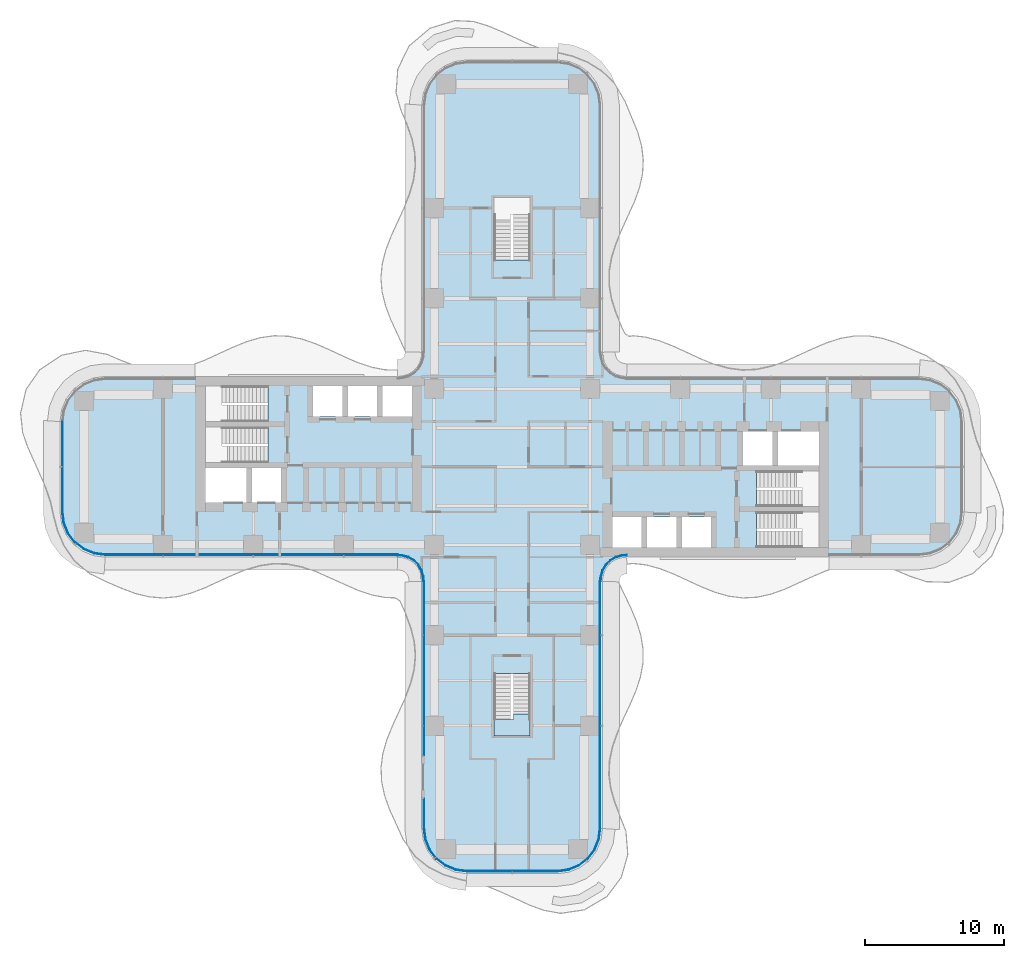
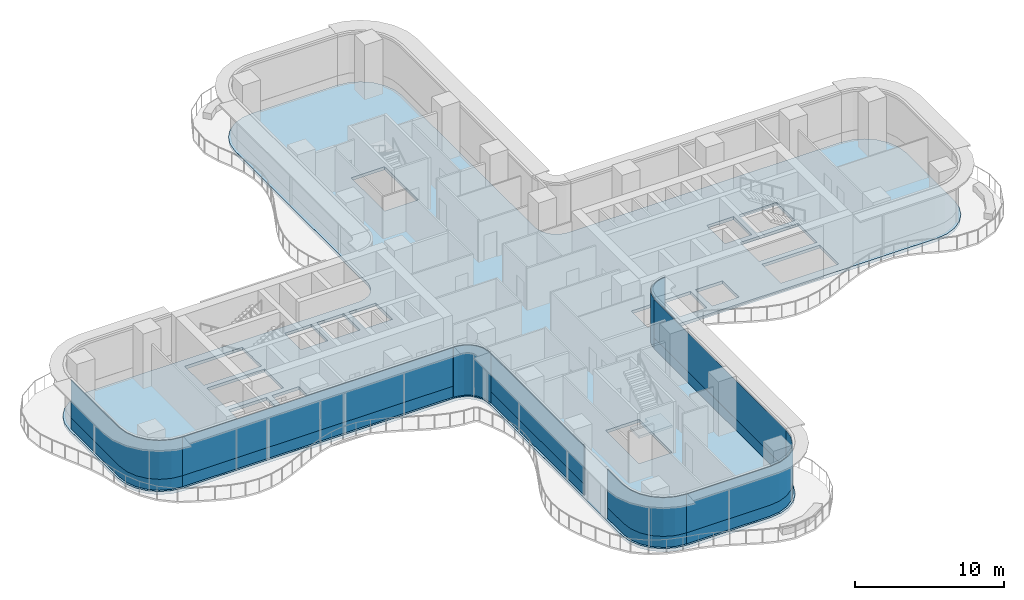
# One storey, part 14 of 22: 14 plates, 2 slabs, 9 elements without a shape of their own.
"""IFC4 building model written with IfcOpenShell, lengths in metres."""

import ifcopenshell
import ifcopenshell.guid

model = None  # the IFC model being written
_history = None  # IfcOwnerHistory: only IFC2X3 demands one
_inside = {}  # id of a spatial element -> (the spatial element, [elements in it])
_under = {}  # id of a project, library or spatial element -> (it, [spatial elements below it])
_declared = {}  # id of a project -> (the project, [libraries it declares])
_typed = {}  # id of a type object -> (the type object, [elements of that type])
_made_of = {}  # id of a material, layer set ... -> (it, [elements and type objects made of it])


def new_model(schema):
    """Start an empty IFC model of exactly this schema.

    Asked for "IFC4X3", IfcOpenShell would pick the latest addendum, in which some entities
    have other attributes; the version numbers below select the first issue.
    IFC2X3 requires an IfcOwnerHistory on every rooted entity: one is made here for all.
    """
    global model, _history
    if schema == "IFC4X3":
        model = ifcopenshell.file(schema_version=(4, 3, 0, 0))
    else:
        model = ifcopenshell.file(schema=schema)
    _inside.clear()
    _under.clear()
    _declared.clear()
    _typed.clear()
    _made_of.clear()
    _history = None
    if model.schema == "IFC2X3":
        org = make("IfcOrganization", Name="unknown")
        user = make(
            "IfcPersonAndOrganization",
            ThePerson=make("IfcPerson", FamilyName="unknown"),
            TheOrganization=org,
        )
        app = make(
            "IfcApplication",
            ApplicationDeveloper=org,
            Version="unknown",
            ApplicationFullName="unknown",
            ApplicationIdentifier="unknown",
        )
        _history = make(
            "IfcOwnerHistory",
            OwningUser=user,
            OwningApplication=app,
            ChangeAction="ADDED",
            CreationDate=0,
        )
    return model


def make(cls, **values):
    """One entity of the class cls with the attributes given. An attribute that is None is left unset."""
    return model.create_entity(
        cls, **{name: value for name, value in values.items() if value is not None}
    )


def rooted(cls, **values):
    """An entity with a GlobalId (a new one), such as an element, a storey or a relation."""
    return make(cls, GlobalId=ifcopenshell.guid.new(), OwnerHistory=_history, **values)


def si_unit(unit_type, name, prefix=None):
    """IfcSIUnit, for example si_unit("LENGTHUNIT", "METRE", prefix="MILLI")."""
    return make("IfcSIUnit", UnitType=unit_type, Prefix=prefix, Name=name)


def assignment(units):
    """IfcUnitAssignment: the units of a project."""
    return None if units is None else make("IfcUnitAssignment", Units=units)


def point(xyz):
    """IfcCartesianPoint."""
    return None if xyz is None else make("IfcCartesianPoint", Coordinates=xyz)


def direction(xyz):
    """IfcDirection."""
    return None if xyz is None else make("IfcDirection", DirectionRatios=xyz)


def frame(location, z_axis=None, x_axis=None):
    """IfcAxis2Placement3D, a coordinate frame: its origin and axes. An axis left out is left unset."""
    return make(
        "IfcAxis2Placement3D",
        Location=point(location),
        Axis=direction(z_axis),
        RefDirection=direction(x_axis),
    )


def origin():
    """The frame at (0, 0, 0) with its axes left unset."""
    return frame((0.0, 0.0, 0.0))


def place(relative_to, where):
    """IfcLocalPlacement: puts the frame where relative to a parent placement (None: the world)."""
    return make(
        "IfcLocalPlacement", PlacementRelTo=relative_to, RelativePlacement=where
    )


def context(
    kind, dimensions, precision=None, world=None, true_north=None, identifier=None
):
    """IfcGeometricRepresentationContext, for example the 3D "Model" context."""
    return make(
        "IfcGeometricRepresentationContext",
        ContextIdentifier=identifier,
        ContextType=kind,
        CoordinateSpaceDimension=dimensions,
        Precision=precision,
        WorldCoordinateSystem=world,
        TrueNorth=true_north,
    )


def subcontext(parent, identifier, kind, view, scale=None):
    """IfcGeometricRepresentationSubContext, for example "Body" below "Model"."""
    return make(
        "IfcGeometricRepresentationSubContext",
        ContextIdentifier=identifier,
        ContextType=kind,
        ParentContext=parent,
        TargetScale=scale,
        TargetView=view,
    )


def project(units=None, contexts=None):
    """IfcProject with its units and contexts."""
    return rooted(
        "IfcProject",
        Name="project",
        RepresentationContexts=contexts,
        UnitsInContext=assignment(units),
    )


def spatial(cls, under=None, at=None, **own):
    """A site, building, storey or space (cls), placed at a placement, below another one or the project."""
    s = rooted(cls, ObjectPlacement=at, **own)
    if under is not None:
        _under.setdefault(under.id(), (under, []))[1].append(s)
    return s


def polyline(points):
    """IfcPolyline through the points."""
    return make("IfcPolyline", Points=[point(p) for p in points])


def outline(outer, holes=None, kind="AREA"):
    """IfcArbitraryClosedProfileDef: a profile drawn as a closed curve; with holes, ...WithVoids."""
    if holes is None:
        return make("IfcArbitraryClosedProfileDef", ProfileType=kind, OuterCurve=outer)
    return make(
        "IfcArbitraryProfileDefWithVoids",
        ProfileType=kind,
        OuterCurve=outer,
        InnerCurves=holes,
    )


def extrude(swept, where, along, depth):
    """IfcExtrudedAreaSolid: the profile swept, set in the frame where, extruded along a direction by depth."""
    return make(
        "IfcExtrudedAreaSolid",
        SweptArea=swept,
        Position=where,
        ExtrudedDirection=direction(along),
        Depth=depth,
    )


def shape(context_of_items, identifier, shape_type, items):
    """IfcShapeRepresentation: the items that make up one representation, for example the "Body"."""
    return make(
        "IfcShapeRepresentation",
        ContextOfItems=context_of_items,
        RepresentationIdentifier=identifier,
        RepresentationType=shape_type,
        Items=items,
    )


def source(mapping_origin, context_of_items, identifier, shape_type, items):
    """IfcRepresentationMap: a shape defined once, which mapped items show again and again."""
    return make(
        "IfcRepresentationMap",
        MappingOrigin=mapping_origin,
        MappedRepresentation=shape(context_of_items, identifier, shape_type, items),
    )


def transform(
    local_origin,
    x_axis=None,
    y_axis=None,
    z_axis=None,
    scale=None,
    scale2=None,
    scale3=None,
    uniform=True,
):
    """IfcCartesianTransformationOperator3D, or its non-uniform kind. x_axis, y_axis, z_axis: its Axis1, 2, 3."""
    if uniform:
        return make(
            "IfcCartesianTransformationOperator3D",
            Axis1=direction(x_axis),
            Axis2=direction(y_axis),
            LocalOrigin=point(local_origin),
            Scale=scale,
            Axis3=direction(z_axis),
        )
    return make(
        "IfcCartesianTransformationOperator3DnonUniform",
        Axis1=direction(x_axis),
        Axis2=direction(y_axis),
        LocalOrigin=point(local_origin),
        Scale=scale,
        Axis3=direction(z_axis),
        Scale2=scale2,
        Scale3=scale3,
    )


def mapped(mapping_source, mapping_target):
    """IfcMappedItem: shows the shape of a source again, moved by a transform."""
    return make(
        "IfcMappedItem", MappingSource=mapping_source, MappingTarget=mapping_target
    )


def material(Name=None, Category=None):
    """IfcMaterial."""
    return make("IfcMaterial", Name=Name, Category=Category)


def layer(
    of_material, thickness, ventilated=None, Name=None, Category=None, Priority=None
):
    """IfcMaterialLayer: one layer of a wall or slab, of a material (None: an air gap)."""
    return make(
        "IfcMaterialLayer",
        Material=of_material,
        LayerThickness=thickness,
        IsVentilated=ventilated,
        Name=Name,
        Category=Category,
        Priority=Priority,
    )


def layer_set(layers, Name=None):
    """IfcMaterialLayerSet."""
    return make("IfcMaterialLayerSet", MaterialLayers=layers, LayerSetName=Name)


def made_of(thing, what):
    """Note that an element or type object is made of a material, layer set ...; save() writes the relation."""
    if what is not None:
        _made_of.setdefault(what.id(), (what, []))[1].append(thing)
    return thing


def type_object(cls, material=None, **own):
    """A type object (cls), such as IfcWallType, which elements share."""
    return made_of(rooted(cls, **own), material)


def element(
    cls,
    number,
    at=None,
    inside=None,
    cuts=None,
    type_object=None,
    material=None,
    context=None,
    identifier="Body",
    shape_type=None,
    held_by="IfcProductDefinitionShape",
    body=None,
    shapes=None,
    **own,
):
    """One element of the class cls, such as IfcWall. Its Tag is "e" and its number.

    at: its placement. inside: the storey or other place that contains it. cuts: it is an
    opening in that element (IfcRelVoidsElement). A single representation is given by context,
    identifier, shape_type and body (its items); several are given by shapes. held_by: the class
    of the entity that holds the representations. save() writes the other relations.
    """
    e = rooted(cls, Tag="e%d" % number, ObjectPlacement=at, **own)
    if body is not None:
        shapes = [shape(context, identifier, shape_type, body)]
    if shapes is not None:
        e.Representation = make(held_by, Representations=shapes)
    if inside is not None:
        _inside.setdefault(inside.id(), (inside, []))[1].append(e)
    if cuts is not None:
        rooted(
            "IfcRelVoidsElement", RelatingBuildingElement=cuts, RelatedOpeningElement=e
        )
    if type_object is not None:
        _typed.setdefault(type_object.id(), (type_object, []))[1].append(e)
    return made_of(e, material)


def aggregate(whole, parts):
    """IfcRelAggregates: a whole, such as a stair, and the parts it consists of."""
    return rooted("IfcRelAggregates", RelatingObject=whole, RelatedObjects=parts)


def save(model, path):
    """Write the relations noted so far, then the file.

    IfcRelAggregates (storeys below a building ...), IfcRelContainedInSpatialStructure (elements
    in a storey), IfcRelDefinesByType, IfcRelAssociatesMaterial and IfcRelDeclares: one each for
    every whole, place, type object, material and project.
    """
    for whole, parts in _under.values():
        aggregate(whole, parts)
    for where, things in _inside.values():
        rooted(
            "IfcRelContainedInSpatialStructure",
            RelatedElements=things,
            RelatingStructure=where,
        )
    for kind, things in _typed.values():
        rooted("IfcRelDefinesByType", RelatedObjects=things, RelatingType=kind)
    for what, things in _made_of.values():
        rooted("IfcRelAssociatesMaterial", RelatedObjects=things, RelatingMaterial=what)
    for by, libraries in _declared.values():
        rooted("IfcRelDeclares", RelatingContext=by, RelatedDefinitions=libraries)
    model.write(path)


model = new_model("IFC4")

# Units and contexts
model_context = context("Model", 3, precision=1e-05, world=origin(), true_north=direction((0.0, 1.0)))
body_context = subcontext(model_context, "Body", "Model", "MODEL_VIEW")
ifc_project = project(units=[si_unit("LENGTHUNIT", "METRE"), si_unit("AREAUNIT", "SQUARE_METRE"), si_unit("VOLUMEUNIT", "CUBIC_METRE"), si_unit("PLANEANGLEUNIT", "RADIAN"), si_unit("MASSUNIT", "GRAM", prefix="KILO")], contexts=[model_context])

# Site, building, storey
site_placement = place(None, origin())
site = spatial("IfcSite", under=ifc_project, at=site_placement, CompositionType="ELEMENT")
building_placement = place(site_placement, origin())
building = spatial("IfcBuilding", under=site, at=building_placement, Name="Trellis Farm Tower", CompositionType="ELEMENT")
storey_placement = place(building_placement, frame((0.0, 0.0, 52.0)))
storey = spatial("IfcBuildingStorey", under=building, at=storey_placement, Name="L10", CompositionType="ELEMENT", Elevation=52.0)

# Slab
ifc_material_1 = material(Name="Concrete C40/50", Category="concrete")
ifc_layer_1 = layer(ifc_material_1, 0.25)
ifc_layer_set_1 = layer_set([ifc_layer_1], Name="Composite deck floor slab 250")
slab_type_1 = type_object("IfcSlabType", Name="Composite deck floor slab 250", PredefinedType="FLOOR", material=ifc_layer_set_1)
shared_shape_1 = source(origin(), body_context, "Body", "SweptSolid", [
    extrude(outline(polyline([(-30.09130859375, -6.389404296875), (-30.875, -6.064697265625), (-31.548095703125, -5.548095703125), (-32.064697265625, -4.875), (-32.389404296875, -4.09130859375), (-32.5, -3.25), (-32.5, 3.25), (-32.389404296875, 4.09130859375), (-32.064697265625, 4.875), (-31.548095703125, 5.548095703125), (-30.875, 6.064697265625), (-30.09130859375, 6.389404296875), (-29.25, 6.5), (-8.2314453125, 6.5), (-8.01953125, 6.513916015625), (-7.91552734375, 6.527587890625), (-7.508544921875, 6.63671875), (-7.144287109375, 6.846923828125), (-6.846923828125, 7.144287109375), (-6.63671875, 7.508544921875), (-6.527587890625, 7.91552734375), (-6.513916015625, 8.01953125), (-6.5, 8.2314453125), (-6.5, 26.0), (-6.389404296875, 26.84130859375), (-6.064697265625, 27.625), (-5.548095703125, 28.298095703125), (-4.875, 28.814697265625), (-4.09130859375, 29.139404296875), (-3.25, 29.25), (3.25, 29.25), (4.09130859375, 29.139404296875), (4.875, 28.814697265625), (5.548095703125, 28.298095703125), (6.064697265625, 27.625), (6.389404296875, 26.84130859375), (6.5, 26.0), (6.5, 8.2314453125), (6.513916015625, 8.01953125), (6.527587890625, 7.91552734375), (6.63671875, 7.508544921875), (6.846923828125, 7.144287109375), (7.144287109375, 6.846923828125), (7.508544921875, 6.63671875), (7.91552734375, 6.527587890625), (8.01953125, 6.513916015625), (8.2314453125, 6.5), (29.25, 6.5), (30.09130859375, 6.389404296875), (30.875, 6.064697265625), (31.548095703125, 5.548095703125), (32.064697265625, 4.875), (32.389404296875, 4.09130859375), (32.5, 3.25), (32.5, -3.25), (32.389404296875, -4.09130859375), (32.064697265625, -4.875), (31.548095703125, -5.548095703125), (30.875, -6.064697265625), (30.09130859375, -6.389404296875), (29.25, -6.5), (8.2314453125, -6.5), (8.01953125, -6.513916015625), (7.91552734375, -6.527587890625), (7.508544921875, -6.63671875), (7.144287109375, -6.846923828125), (6.846923828125, -7.144287109375), (6.63671875, -7.508544921875), (6.527587890625, -7.91552734375), (6.513916015625, -8.01953125), (6.5, -8.2314453125), (6.5, -26.0), (6.389404296875, -26.84130859375), (6.064697265625, -27.625), (5.548095703125, -28.298095703125), (4.875, -28.814697265625), (4.09130859375, -29.139404296875), (3.25, -29.25), (-3.25, -29.25), (-4.09130859375, -29.139404296875), (-4.875, -28.814697265625), (-5.548095703125, -28.298095703125), (-6.064697265625, -27.625), (-6.389404296875, -26.84130859375), (-6.5, -26.0), (-6.5, -8.2314453125), (-6.513916015625, -8.01953125), (-6.527587890625, -7.91552734375), (-6.63671875, -7.508544921875), (-6.846923828125, -7.144287109375), (-7.144287109375, -6.846923828125), (-7.508544921875, -6.63671875), (-7.91552734375, -6.527587890625), (-8.01953125, -6.513916015625), (-8.2314453125, -6.5), (-29.25, -6.5), (-30.09130859375, -6.389404296875)]), holes=[polyline([(-22.050048828125, -0.10009765625), (-22.050048828125, -2.550048828125), (-19.10009765625, -2.550048828125), (-19.10009765625, -0.10009765625), (-22.050048828125, -0.10009765625)]), polyline([(-18.699951171875, -0.10009765625), (-18.699951171875, -2.550048828125), (-16.60009765625, -2.550048828125), (-16.60009765625, -0.10009765625), (-18.699951171875, -0.10009765625)]), polyline([(-17.56201171875, 1.64990234375), (-17.56201171875, 2.85009765625), (-22.050048828125, 2.85009765625), (-22.050048828125, 0.300048828125), (-17.56005859375, 0.300048828125), (-17.56005859375, 1.5), (-17.550048828125, 1.5), (-17.550048828125, 1.64990234375), (-17.56201171875, 1.64990234375)]), polyline([(-17.56201171875, 4.60009765625), (-17.56201171875, 5.800048828125), (-22.050048828125, 5.800048828125), (-22.050048828125, 3.25), (-17.56005859375, 3.25), (-17.56005859375, 4.449951171875), (-17.550048828125, 4.449951171875), (-17.550048828125, 4.60009765625), (-17.56201171875, 4.60009765625)]), polyline([(-14.300048828125, 5.800048828125), (-14.300048828125, 3.60009765625), (-12.199951171875, 3.60009765625), (-12.199951171875, 5.800048828125), (-14.300048828125, 5.800048828125)]), polyline([(-11.800048828125, 5.800048828125), (-11.800048828125, 3.60009765625), (-9.699951171875, 3.60009765625), (-9.699951171875, 5.800048828125), (-11.800048828125, 5.800048828125)]), polyline([(-9.300048828125, 5.800048828125), (-9.300048828125, 3.60009765625), (-7.199951171875, 3.60009765625), (-7.199951171875, 5.800048828125), (-9.300048828125, 5.800048828125)]), polyline([(0.10009765625, 14.862060546875), (1.300048828125, 14.862060546875), (1.300048828125, 19.35009765625), (-1.300048828125, 19.35009765625), (-1.300048828125, 14.860107421875), (-0.10009765625, 14.860107421875), (-0.10009765625, 14.85009765625), (0.10009765625, 14.85009765625), (0.10009765625, 14.862060546875)]), polyline([(-0.10009765625, -14.862060546875), (-1.300048828125, -14.862060546875), (-1.300048828125, -19.35009765625), (1.300048828125, -19.35009765625), (1.300048828125, -14.860107421875), (0.10009765625, -14.860107421875), (0.10009765625, -14.85009765625), (-0.10009765625, -14.85009765625), (-0.10009765625, -14.862060546875)]), polyline([(9.300048828125, -5.800048828125), (9.300048828125, -3.60009765625), (7.199951171875, -3.60009765625), (7.199951171875, -5.800048828125), (9.300048828125, -5.800048828125)]), polyline([(11.800048828125, -5.800048828125), (11.800048828125, -3.60009765625), (9.699951171875, -3.60009765625), (9.699951171875, -5.800048828125), (11.800048828125, -5.800048828125)]), polyline([(14.300048828125, -5.800048828125), (14.300048828125, -3.60009765625), (12.199951171875, -3.60009765625), (12.199951171875, -5.800048828125), (14.300048828125, -5.800048828125)]), polyline([(17.56201171875, -4.60009765625), (17.56201171875, -5.800048828125), (22.050048828125, -5.800048828125), (22.050048828125, -3.25), (17.56005859375, -3.25), (17.56005859375, -4.449951171875), (17.550048828125, -4.449951171875), (17.550048828125, -4.60009765625), (17.56201171875, -4.60009765625)]), polyline([(17.56201171875, -1.64990234375), (17.56201171875, -2.85009765625), (22.050048828125, -2.85009765625), (22.050048828125, -0.300048828125), (17.56005859375, -0.300048828125), (17.56005859375, -1.5), (17.550048828125, -1.5), (17.550048828125, -1.64990234375), (17.56201171875, -1.64990234375)]), polyline([(18.699951171875, 0.10009765625), (18.699951171875, 2.550048828125), (16.60009765625, 2.550048828125), (16.60009765625, 0.10009765625), (18.699951171875, 0.10009765625)]), polyline([(22.050048828125, 0.10009765625), (22.050048828125, 2.550048828125), (19.10009765625, 2.550048828125), (19.10009765625, 0.10009765625), (22.050048828125, 0.10009765625)])]), origin(), (0.0, 0.0, 1.0), 0.25),
])
slab_1_placement = place(storey_placement, frame((0.0, 0.0, -0.25)))
element("IfcSlab", 1, at=slab_1_placement, inside=storey, type_object=slab_type_1, Name="Floor slab", PredefinedType="FLOOR", context=body_context, shape_type="MappedRepresentation", body=[
    mapped(shared_shape_1, transform((0.0, 0.0, 0.0))),
])

# Stair, slab
ifc_material_2 = material(Name="Concrete C50/60", Category="concrete")
stair_type = type_object("IfcStairType", Name="CORE EXIT STAIR 26 RISERS 173 MM", PredefinedType="HALF_TURN_STAIR", material=ifc_material_2)
placement_1 = place(storey_placement, origin())
stair = element("IfcStair", 2, at=placement_1, inside=storey, type_object=stair_type, Name="Exit stair S", PredefinedType="HALF_TURN_STAIR")
ifc_layer_2 = layer(ifc_material_2, 0.18994140625)
ifc_layer_set_2 = layer_set([ifc_layer_2], Name="CORE STAIR LANDING 190 CONCRETE C50/60")
slab_type_2 = type_object("IfcSlabType", Name="CORE STAIR LANDING 190 CONCRETE C50/60", PredefinedType="LANDING", material=ifc_layer_set_2)
shared_shape_2 = source(origin(), body_context, "Body", "SweptSolid", [
    extrude(outline(polyline([(1.300048828125, -19.35009765625), (-1.300048828125, -19.35009765625), (-1.300048828125, -18.14990234375), (-1.300048828125, -18.139892578125), (-0.10009765625, -18.139892578125), (-0.10009765625, -18.14990234375), (0.10009765625, -18.14990234375), (0.10009765625, -17.753173828125), (1.300048828125, -17.753173828125), (1.300048828125, -18.14990234375), (1.300048828125, -19.35009765625)])), origin(), (0.0, 0.0, 1.0), 0.18994140625),
])
slab_2_placement = place(storey_placement, frame((0.0, 0.0, 2.06005859375)))
slab_2 = element("IfcSlab", 3, at=slab_2_placement, type_object=slab_type_2, Name="STS landing 1", PredefinedType="LANDING", context=body_context, shape_type="MappedRepresentation", body=[
    mapped(shared_shape_2, transform((0.0, 0.0, 0.0))),
])
aggregate(stair, [slab_2])

# Curtain wall, plates
ifc_material_3 = material(Name="Aluminium and glass curtain wall", Category="aluminium")
ifc_layer_3 = layer(ifc_material_3, 0.18994140625)
ifc_layer_set_3 = layer_set([ifc_layer_3], Name="RIBBON CURTAIN WALL CW1")
curtain_wall_type_1 = type_object("IfcCurtainWallType", Name="RIBBON CURTAIN WALL CW1", PredefinedType="NOTDEFINED", material=ifc_layer_set_3)
curtain_wall_1 = element("IfcCurtainWall", 4, at=placement_1, inside=storey, type_object=curtain_wall_type_1, Name="CW1 001", PredefinedType="NOTDEFINED")
ifc_material_4 = material(Name="Clear insulated glass", Category="glass")
ifc_layer_4 = layer(ifc_material_4, 0.0400390625)
ifc_layer_set_4 = layer_set([ifc_layer_4], Name="CW1 GLASS PANEL 40")
plate_type_1 = type_object("IfcPlateType", Name="CW1 GLASS PANEL 40", PredefinedType="CURTAIN_PANEL", material=ifc_layer_set_4)
shared_shape_3 = source(origin(), body_context, "Body", "SweptSolid", [
    extrude(outline(polyline([(-29.240234375, -6.35009765625), (-8.2265625, -6.35009765625), (-8.22509765625, -6.31005859375), (-29.237548828125, -6.31005859375), (-29.240234375, -6.35009765625)])), origin(), (0.0, 0.0, 1.0), 3.170166015625),
])
placement_2 = place(storey_placement, frame((0.0, 0.0, 0.89990234375)))
plate_1 = element("IfcPlate", 5, at=placement_2, type_object=plate_type_1, Name="PL1 001", PredefinedType="CURTAIN_PANEL", context=body_context, shape_type="MappedRepresentation", body=[
    mapped(shared_shape_3, transform((0.0, 0.0, 0.0))),
])
ifc_material_5 = material(Name="Sandstone faced insulated panel", Category="masonry")
ifc_layer_5 = layer(ifc_material_5, 0.050048828125)
ifc_layer_set_5 = layer_set([ifc_layer_5], Name="CW1 STONE SPANDREL PANEL 50")
plate_type_2 = type_object("IfcPlateType", Name="CW1 STONE SPANDREL PANEL 50", PredefinedType="CURTAIN_PANEL", material=ifc_layer_set_5)
shared_shape_4 = source(origin(), body_context, "Body", "SweptSolid", [
    extrude(outline(polyline([(-29.240234375, -6.35009765625), (-8.2265625, -6.35009765625), (-8.224853515625, -6.300048828125), (-29.23681640625, -6.300048828125), (-29.240234375, -6.35009765625)])), origin(), (0.0, 0.0, 1.0), 0.89990234375),
])
plate_2 = element("IfcPlate", 6, at=placement_1, type_object=plate_type_2, Name="PS1 001", PredefinedType="CURTAIN_PANEL", context=body_context, shape_type="MappedRepresentation", body=[
    mapped(shared_shape_4, transform((0.0, 0.0, 0.0))),
])
aggregate(curtain_wall_1, [plate_1, plate_2])

# Curtain wall, plate
ifc_layer_6 = layer(ifc_material_3, 0.166015625)
ifc_layer_set_6 = layer_set([ifc_layer_6], Name="WINTER GARDEN CURTAIN WALL CW3")
curtain_wall_type_2 = type_object("IfcCurtainWallType", Name="WINTER GARDEN CURTAIN WALL CW3", PredefinedType="NOTDEFINED", material=ifc_layer_set_6)
curtain_wall_2 = element("IfcCurtainWall", 7, at=placement_1, inside=storey, type_object=curtain_wall_type_2, Name="CW3 001", PredefinedType="NOTDEFINED")
ifc_layer_7 = layer(ifc_material_4, 0.0458984375)
ifc_layer_set_7 = layer_set([ifc_layer_7], Name="CW3 GLASS PANEL 46")
plate_type_3 = type_object("IfcPlateType", Name="CW3 GLASS PANEL 46", PredefinedType="CURTAIN_PANEL", material=ifc_layer_set_7)
shared_shape_5 = source(origin(), body_context, "Body", "SweptSolid", [
    extrude(outline(polyline([(-8.2275390625, -6.3798828125), (-8.0078125, -6.394287109375), (-7.89208984375, -6.40966796875), (-7.462158203125, -6.52490234375), (-7.070556640625, -6.7509765625), (-6.7509765625, -7.070556640625), (-6.52490234375, -7.462158203125), (-6.40966796875, -7.89208984375), (-6.394287109375, -8.0078125), (-6.3798828125, -8.2275390625), (-6.333984375, -8.22607421875), (-6.3486328125, -8.003173828125), (-6.364501953125, -7.883056640625), (-6.48193359375, -7.4443359375), (-6.714111328125, -7.04248046875), (-7.04248046875, -6.714111328125), (-7.4443359375, -6.48193359375), (-7.883056640625, -6.364501953125), (-8.003173828125, -6.3486328125), (-8.22607421875, -6.333984375), (-8.2275390625, -6.3798828125)])), origin(), (0.0, 0.0, 1.0), 4.10009765625),
])
plate_3 = element("IfcPlate", 8, at=placement_1, type_object=plate_type_3, Name="PL3 001", PredefinedType="CURTAIN_PANEL", context=body_context, shape_type="MappedRepresentation", body=[
    mapped(shared_shape_5, transform((0.0, 0.0, 0.0))),
])
aggregate(curtain_wall_2, [plate_3])

# Curtain wall, plates
curtain_wall_3 = element("IfcCurtainWall", 9, at=placement_1, inside=storey, type_object=curtain_wall_type_1, Name="CW1 004", PredefinedType="NOTDEFINED")
shared_shape_6 = source(origin(), body_context, "Body", "SweptSolid", [
    extrude(outline(polyline([(-3.240234375, -29.10009765625), (3.240234375, -29.10009765625), (4.052001953125, -28.9931640625), (4.79931640625, -28.68359375), (5.441162109375, -28.191162109375), (5.93359375, -27.54931640625), (6.2431640625, -26.802001953125), (6.35009765625, -25.990234375), (6.31005859375, -25.987548828125), (6.2041015625, -26.79150390625), (5.898681640625, -27.529296875), (5.41259765625, -28.16259765625), (4.779296875, -28.648681640625), (4.04150390625, -28.9541015625), (3.237548828125, -29.06005859375), (-3.237548828125, -29.06005859375), (-3.240234375, -29.10009765625)])), origin(), (0.0, 0.0, 1.0), 3.170166015625),
])
plate_4 = element("IfcPlate", 10, at=placement_2, type_object=plate_type_1, Name="PL1 004", PredefinedType="CURTAIN_PANEL", context=body_context, shape_type="MappedRepresentation", body=[
    mapped(shared_shape_6, transform((0.0, 0.0, 0.0))),
])
shared_shape_7 = source(origin(), body_context, "Body", "SweptSolid", [
    extrude(outline(polyline([(-3.240234375, -29.10009765625), (3.240234375, -29.10009765625), (4.052001953125, -28.9931640625), (4.79931640625, -28.68359375), (5.441162109375, -28.191162109375), (5.93359375, -27.54931640625), (6.2431640625, -26.802001953125), (6.35009765625, -25.990234375), (6.300048828125, -25.98681640625), (6.1943359375, -26.7890625), (5.889892578125, -27.524169921875), (5.405517578125, -28.155517578125), (4.774169921875, -28.639892578125), (4.0390625, -28.9443359375), (3.23681640625, -29.050048828125), (-3.23681640625, -29.050048828125), (-3.240234375, -29.10009765625)])), origin(), (0.0, 0.0, 1.0), 0.89990234375),
])
plate_5 = element("IfcPlate", 11, at=placement_1, type_object=plate_type_2, Name="PS1 004", PredefinedType="CURTAIN_PANEL", context=body_context, shape_type="MappedRepresentation", body=[
    mapped(shared_shape_7, transform((0.0, 0.0, 0.0))),
])
aggregate(curtain_wall_3, [plate_4, plate_5])

curtain_wall_4 = element("IfcCurtainWall", 12, at=placement_1, inside=storey, type_object=curtain_wall_type_1, Name="CW1 005", PredefinedType="NOTDEFINED")
shared_shape_8 = source(origin(), body_context, "Body", "SweptSolid", [
    extrude(outline(polyline([(6.35009765625, -25.990234375), (6.35009765625, -8.2265625), (6.31005859375, -8.22509765625), (6.31005859375, -25.987548828125), (6.35009765625, -25.990234375)])), origin(), (0.0, 0.0, 1.0), 3.170166015625),
])
plate_6 = element("IfcPlate", 13, at=placement_2, type_object=plate_type_1, Name="PL1 005", PredefinedType="CURTAIN_PANEL", context=body_context, shape_type="MappedRepresentation", body=[
    mapped(shared_shape_8, transform((0.0, 0.0, 0.0))),
])
shared_shape_9 = source(origin(), body_context, "Body", "SweptSolid", [
    extrude(outline(polyline([(6.35009765625, -25.990234375), (6.35009765625, -8.2265625), (6.300048828125, -8.224853515625), (6.300048828125, -25.98681640625), (6.35009765625, -25.990234375)])), origin(), (0.0, 0.0, 1.0), 0.89990234375),
])
plate_7 = element("IfcPlate", 14, at=placement_1, type_object=plate_type_2, Name="PS1 005", PredefinedType="CURTAIN_PANEL", context=body_context, shape_type="MappedRepresentation", body=[
    mapped(shared_shape_9, transform((0.0, 0.0, 0.0))),
])
aggregate(curtain_wall_4, [plate_6, plate_7])

# Curtain wall, plate
curtain_wall_5 = element("IfcCurtainWall", 15, at=placement_1, inside=storey, type_object=curtain_wall_type_2, Name="CW3 002", PredefinedType="NOTDEFINED")
shared_shape_10 = source(origin(), body_context, "Body", "SweptSolid", [
    extrude(outline(polyline([(6.3798828125, -8.2275390625), (6.394287109375, -8.0078125), (6.40966796875, -7.89208984375), (6.52490234375, -7.462158203125), (6.7509765625, -7.070556640625), (7.070556640625, -6.7509765625), (7.462158203125, -6.52490234375), (7.89208984375, -6.40966796875), (8.0078125, -6.394287109375), (8.2275390625, -6.3798828125), (8.22607421875, -6.333984375), (8.003173828125, -6.3486328125), (7.883056640625, -6.364501953125), (7.4443359375, -6.48193359375), (7.04248046875, -6.714111328125), (6.714111328125, -7.04248046875), (6.48193359375, -7.4443359375), (6.364501953125, -7.883056640625), (6.3486328125, -8.003173828125), (6.333984375, -8.22607421875), (6.3798828125, -8.2275390625)])), origin(), (0.0, 0.0, 1.0), 4.10009765625),
])
plate_8 = element("IfcPlate", 16, at=placement_1, type_object=plate_type_3, Name="PL3 002", PredefinedType="CURTAIN_PANEL", context=body_context, shape_type="MappedRepresentation", body=[
    mapped(shared_shape_10, transform((0.0, 0.0, 0.0))),
])
aggregate(curtain_wall_5, [plate_8])

# Curtain wall, plates
curtain_wall_6 = element("IfcCurtainWall", 17, at=placement_1, inside=storey, type_object=curtain_wall_type_1, Name="CW1 013", PredefinedType="NOTDEFINED")
shared_shape_11 = source(origin(), body_context, "Body", "SweptSolid", [
    extrude(outline(polyline([(-32.35009765625, 3.240234375), (-32.35009765625, -3.240234375), (-32.2431640625, -4.052001953125), (-31.93359375, -4.79931640625), (-31.441162109375, -5.441162109375), (-30.79931640625, -5.93359375), (-30.052001953125, -6.2431640625), (-29.240234375, -6.35009765625), (-29.237548828125, -6.31005859375), (-30.04150390625, -6.2041015625), (-30.779296875, -5.898681640625), (-31.41259765625, -5.41259765625), (-31.898681640625, -4.779296875), (-32.2041015625, -4.04150390625), (-32.31005859375, -3.237548828125), (-32.31005859375, 3.237548828125), (-32.35009765625, 3.240234375)])), origin(), (0.0, 0.0, 1.0), 3.170166015625),
])
plate_9 = element("IfcPlate", 18, at=placement_2, type_object=plate_type_1, Name="PL1 013", PredefinedType="CURTAIN_PANEL", context=body_context, shape_type="MappedRepresentation", body=[
    mapped(shared_shape_11, transform((0.0, 0.0, 0.0))),
])
shared_shape_12 = source(origin(), body_context, "Body", "SweptSolid", [
    extrude(outline(polyline([(-32.35009765625, 3.240234375), (-32.35009765625, -3.240234375), (-32.2431640625, -4.052001953125), (-31.93359375, -4.79931640625), (-31.441162109375, -5.441162109375), (-30.79931640625, -5.93359375), (-30.052001953125, -6.2431640625), (-29.240234375, -6.35009765625), (-29.23681640625, -6.300048828125), (-30.0390625, -6.1943359375), (-30.774169921875, -5.889892578125), (-31.405517578125, -5.405517578125), (-31.889892578125, -4.774169921875), (-32.1943359375, -4.0390625), (-32.300048828125, -3.23681640625), (-32.300048828125, 3.23681640625), (-32.35009765625, 3.240234375)])), origin(), (0.0, 0.0, 1.0), 0.89990234375),
])
plate_10 = element("IfcPlate", 19, at=placement_1, type_object=plate_type_2, Name="PS1 013", PredefinedType="CURTAIN_PANEL", context=body_context, shape_type="MappedRepresentation", body=[
    mapped(shared_shape_12, transform((0.0, 0.0, 0.0))),
])
aggregate(curtain_wall_6, [plate_9, plate_10])

curtain_wall_7 = element("IfcCurtainWall", 20, at=placement_1, inside=storey, type_object=curtain_wall_type_1, Name="CW1 002", PredefinedType="NOTDEFINED")
shared_shape_13 = source(origin(), body_context, "Body", "SweptSolid", [
    extrude(outline(polyline([(-6.35009765625, -8.2265625), (-6.35009765625, -20.739990234375), (-6.31005859375, -20.739990234375), (-6.31005859375, -8.22509765625), (-6.35009765625, -8.2265625)])), origin(), (0.0, 0.0, 1.0), 3.170166015625),
])
plate_11 = element("IfcPlate", 21, at=placement_2, type_object=plate_type_1, Name="PL1 002", PredefinedType="CURTAIN_PANEL", context=body_context, shape_type="MappedRepresentation", body=[
    mapped(shared_shape_13, transform((0.0, 0.0, 0.0))),
])
shared_shape_14 = source(origin(), body_context, "Body", "SweptSolid", [
    extrude(outline(polyline([(-6.35009765625, -8.2265625), (-6.35009765625, -20.739990234375), (-6.300048828125, -20.739990234375), (-6.300048828125, -8.224853515625), (-6.35009765625, -8.2265625)])), origin(), (0.0, 0.0, 1.0), 0.89990234375),
])
plate_12 = element("IfcPlate", 22, at=placement_1, type_object=plate_type_2, Name="PS1 002", PredefinedType="CURTAIN_PANEL", context=body_context, shape_type="MappedRepresentation", body=[
    mapped(shared_shape_14, transform((0.0, 0.0, 0.0))),
])
aggregate(curtain_wall_7, [plate_11, plate_12])

curtain_wall_8 = element("IfcCurtainWall", 23, at=placement_1, inside=storey, type_object=curtain_wall_type_1, Name="CW1 003", PredefinedType="NOTDEFINED")
shared_shape_15 = source(origin(), body_context, "Body", "SweptSolid", [
    extrude(outline(polyline([(-6.35009765625, -23.860107421875), (-6.35009765625, -25.990234375), (-6.2431640625, -26.802001953125), (-5.93359375, -27.54931640625), (-5.441162109375, -28.191162109375), (-4.79931640625, -28.68359375), (-4.052001953125, -28.9931640625), (-3.240234375, -29.10009765625), (-3.237548828125, -29.06005859375), (-4.04150390625, -28.9541015625), (-4.779296875, -28.648681640625), (-5.41259765625, -28.16259765625), (-5.898681640625, -27.529296875), (-6.2041015625, -26.79150390625), (-6.31005859375, -25.987548828125), (-6.31005859375, -23.860107421875), (-6.35009765625, -23.860107421875)])), origin(), (0.0, 0.0, 1.0), 3.170166015625),
])
plate_13 = element("IfcPlate", 24, at=placement_2, type_object=plate_type_1, Name="PL1 003", PredefinedType="CURTAIN_PANEL", context=body_context, shape_type="MappedRepresentation", body=[
    mapped(shared_shape_15, transform((0.0, 0.0, 0.0))),
])
shared_shape_16 = source(origin(), body_context, "Body", "SweptSolid", [
    extrude(outline(polyline([(-6.35009765625, -23.860107421875), (-6.35009765625, -25.990234375), (-6.2431640625, -26.802001953125), (-5.93359375, -27.54931640625), (-5.441162109375, -28.191162109375), (-4.79931640625, -28.68359375), (-4.052001953125, -28.9931640625), (-3.240234375, -29.10009765625), (-3.23681640625, -29.050048828125), (-4.0390625, -28.9443359375), (-4.774169921875, -28.639892578125), (-5.405517578125, -28.155517578125), (-5.889892578125, -27.524169921875), (-6.1943359375, -26.7890625), (-6.300048828125, -25.98681640625), (-6.300048828125, -23.860107421875), (-6.35009765625, -23.860107421875)])), origin(), (0.0, 0.0, 1.0), 0.89990234375),
])
plate_14 = element("IfcPlate", 25, at=placement_1, type_object=plate_type_2, Name="PS1 003", PredefinedType="CURTAIN_PANEL", context=body_context, shape_type="MappedRepresentation", body=[
    mapped(shared_shape_16, transform((0.0, 0.0, 0.0))),
])
aggregate(curtain_wall_8, [plate_13, plate_14])

save(model, "model.ifc")
